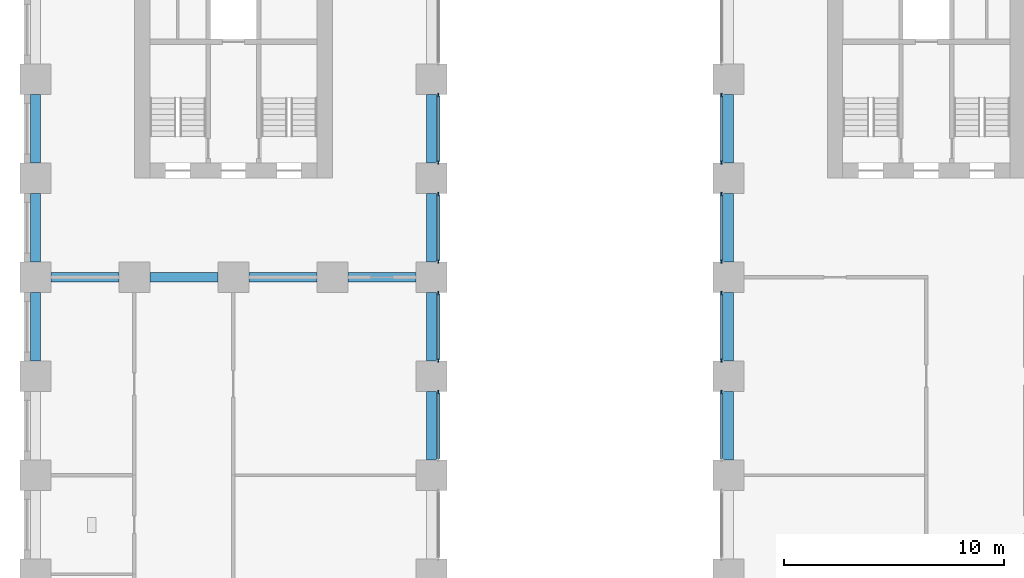
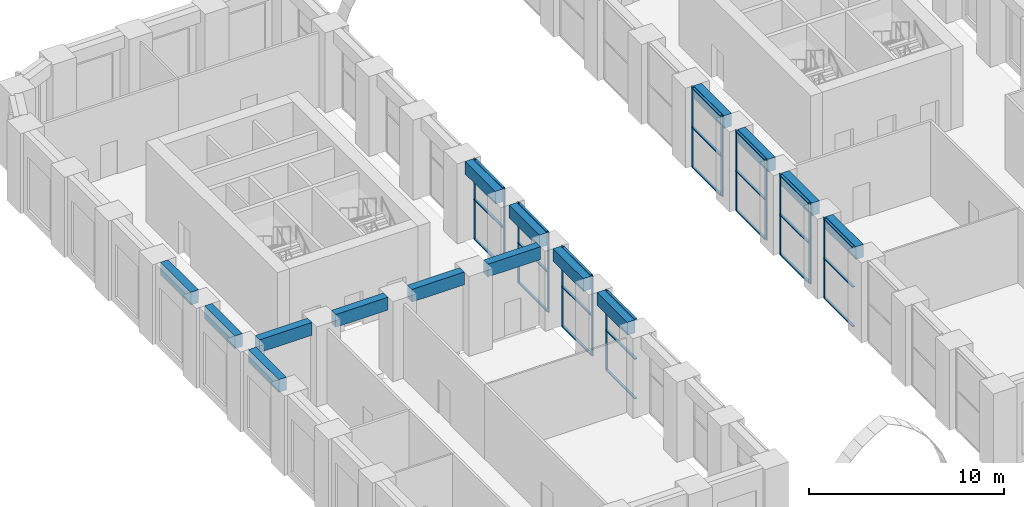
# One storey, part 3 of 24: 38 members, 15 beams, 8 elements without a shape of their own.
"""IFC4 building model written with IfcOpenShell, lengths in metres."""

import ifcopenshell
import ifcopenshell.guid

model = None  # the IFC model being written
_history = None  # IfcOwnerHistory: only IFC2X3 demands one
_inside = {}  # id of a spatial element -> (the spatial element, [elements in it])
_under = {}  # id of a project, library or spatial element -> (it, [spatial elements below it])
_declared = {}  # id of a project -> (the project, [libraries it declares])
_typed = {}  # id of a type object -> (the type object, [elements of that type])
_made_of = {}  # id of a material, layer set ... -> (it, [elements and type objects made of it])


def new_model(schema):
    """Start an empty IFC model of exactly this schema.

    Asked for "IFC4X3", IfcOpenShell would pick the latest addendum, in which some entities
    have other attributes; the version numbers below select the first issue.
    IFC2X3 requires an IfcOwnerHistory on every rooted entity: one is made here for all.
    """
    global model, _history
    if schema == "IFC4X3":
        model = ifcopenshell.file(schema_version=(4, 3, 0, 0))
    else:
        model = ifcopenshell.file(schema=schema)
    _inside.clear()
    _under.clear()
    _declared.clear()
    _typed.clear()
    _made_of.clear()
    _history = None
    if model.schema == "IFC2X3":
        org = make("IfcOrganization", Name="unknown")
        user = make(
            "IfcPersonAndOrganization",
            ThePerson=make("IfcPerson", FamilyName="unknown"),
            TheOrganization=org,
        )
        app = make(
            "IfcApplication",
            ApplicationDeveloper=org,
            Version="unknown",
            ApplicationFullName="unknown",
            ApplicationIdentifier="unknown",
        )
        _history = make(
            "IfcOwnerHistory",
            OwningUser=user,
            OwningApplication=app,
            ChangeAction="ADDED",
            CreationDate=0,
        )
    return model


def make(cls, **values):
    """One entity of the class cls with the attributes given. An attribute that is None is left unset."""
    return model.create_entity(
        cls, **{name: value for name, value in values.items() if value is not None}
    )


def rooted(cls, **values):
    """An entity with a GlobalId (a new one), such as an element, a storey or a relation."""
    return make(cls, GlobalId=ifcopenshell.guid.new(), OwnerHistory=_history, **values)


def si_unit(unit_type, name, prefix=None):
    """IfcSIUnit, for example si_unit("LENGTHUNIT", "METRE", prefix="MILLI")."""
    return make("IfcSIUnit", UnitType=unit_type, Prefix=prefix, Name=name)


def assignment(units):
    """IfcUnitAssignment: the units of a project."""
    return None if units is None else make("IfcUnitAssignment", Units=units)


def point(xyz):
    """IfcCartesianPoint."""
    return None if xyz is None else make("IfcCartesianPoint", Coordinates=xyz)


def direction(xyz):
    """IfcDirection."""
    return None if xyz is None else make("IfcDirection", DirectionRatios=xyz)


def frame(location, z_axis=None, x_axis=None):
    """IfcAxis2Placement3D, a coordinate frame: its origin and axes. An axis left out is left unset."""
    return make(
        "IfcAxis2Placement3D",
        Location=point(location),
        Axis=direction(z_axis),
        RefDirection=direction(x_axis),
    )


def frame_2d(location, x_axis=None):
    """IfcAxis2Placement2D, a coordinate frame in the plane: its origin and x axis."""
    return make(
        "IfcAxis2Placement2D", Location=point(location), RefDirection=direction(x_axis)
    )


def origin():
    """The frame at (0, 0, 0) with its axes left unset."""
    return frame((0.0, 0.0, 0.0))


def origin_2d():
    """The frame at (0, 0) in the plane with its x axis left unset."""
    return frame_2d((0.0, 0.0))


def place(relative_to, where):
    """IfcLocalPlacement: puts the frame where relative to a parent placement (None: the world)."""
    return make(
        "IfcLocalPlacement", PlacementRelTo=relative_to, RelativePlacement=where
    )


def context(
    kind, dimensions, precision=None, world=None, true_north=None, identifier=None
):
    """IfcGeometricRepresentationContext, for example the 3D "Model" context."""
    return make(
        "IfcGeometricRepresentationContext",
        ContextIdentifier=identifier,
        ContextType=kind,
        CoordinateSpaceDimension=dimensions,
        Precision=precision,
        WorldCoordinateSystem=world,
        TrueNorth=true_north,
    )


def subcontext(parent, identifier, kind, view, scale=None):
    """IfcGeometricRepresentationSubContext, for example "Body" below "Model"."""
    return make(
        "IfcGeometricRepresentationSubContext",
        ContextIdentifier=identifier,
        ContextType=kind,
        ParentContext=parent,
        TargetScale=scale,
        TargetView=view,
    )


def project(units=None, contexts=None):
    """IfcProject with its units and contexts."""
    return rooted(
        "IfcProject",
        Name="project",
        RepresentationContexts=contexts,
        UnitsInContext=assignment(units),
    )


def spatial(cls, under=None, at=None, **own):
    """A site, building, storey or space (cls), placed at a placement, below another one or the project."""
    s = rooted(cls, ObjectPlacement=at, **own)
    if under is not None:
        _under.setdefault(under.id(), (under, []))[1].append(s)
    return s


def profile(cls, at=None, kind="AREA", **sizes):
    """A parametric profile (cls). Its sizes go by their IFC names, for example OverallWidth=200.0."""
    return make(cls, ProfileType=kind, Position=at, **sizes)


def rectangle(**sizes):
    """IfcRectangleProfileDef."""
    return profile("IfcRectangleProfileDef", **sizes)


def extrude(swept, where, along, depth):
    """IfcExtrudedAreaSolid: the profile swept, set in the frame where, extruded along a direction by depth."""
    return make(
        "IfcExtrudedAreaSolid",
        SweptArea=swept,
        Position=where,
        ExtrudedDirection=direction(along),
        Depth=depth,
    )


def shape(context_of_items, identifier, shape_type, items):
    """IfcShapeRepresentation: the items that make up one representation, for example the "Body"."""
    return make(
        "IfcShapeRepresentation",
        ContextOfItems=context_of_items,
        RepresentationIdentifier=identifier,
        RepresentationType=shape_type,
        Items=items,
    )


def material(Name=None, Category=None):
    """IfcMaterial."""
    return make("IfcMaterial", Name=Name, Category=Category)


def material_profile(
    of_material, cross_section, Name=None, Category=None, Priority=None
):
    """IfcMaterialProfile: a cross section and its material."""
    return make(
        "IfcMaterialProfile",
        Name=Name,
        Material=of_material,
        Profile=cross_section,
        Priority=Priority,
        Category=Category,
    )


def profile_set(profiles, Name=None, composite=None):
    """IfcMaterialProfileSet."""
    return make(
        "IfcMaterialProfileSet",
        Name=Name,
        MaterialProfiles=profiles,
        CompositeProfile=composite,
    )


def made_of(thing, what):
    """Note that an element or type object is made of a material, layer set ...; save() writes the relation."""
    if what is not None:
        _made_of.setdefault(what.id(), (what, []))[1].append(thing)
    return thing


def type_object(cls, material=None, **own):
    """A type object (cls), such as IfcWallType, which elements share."""
    return made_of(rooted(cls, **own), material)


def element(
    cls,
    number,
    at=None,
    inside=None,
    cuts=None,
    type_object=None,
    material=None,
    context=None,
    identifier="Body",
    shape_type=None,
    held_by="IfcProductDefinitionShape",
    body=None,
    shapes=None,
    **own,
):
    """One element of the class cls, such as IfcWall. Its Tag is "e" and its number.

    at: its placement. inside: the storey or other place that contains it. cuts: it is an
    opening in that element (IfcRelVoidsElement). A single representation is given by context,
    identifier, shape_type and body (its items); several are given by shapes. held_by: the class
    of the entity that holds the representations. save() writes the other relations.
    """
    e = rooted(cls, Tag="e%d" % number, ObjectPlacement=at, **own)
    if body is not None:
        shapes = [shape(context, identifier, shape_type, body)]
    if shapes is not None:
        e.Representation = make(held_by, Representations=shapes)
    if inside is not None:
        _inside.setdefault(inside.id(), (inside, []))[1].append(e)
    if cuts is not None:
        rooted(
            "IfcRelVoidsElement", RelatingBuildingElement=cuts, RelatedOpeningElement=e
        )
    if type_object is not None:
        _typed.setdefault(type_object.id(), (type_object, []))[1].append(e)
    return made_of(e, material)


def aggregate(whole, parts):
    """IfcRelAggregates: a whole, such as a stair, and the parts it consists of."""
    return rooted("IfcRelAggregates", RelatingObject=whole, RelatedObjects=parts)


def save(model, path):
    """Write the relations noted so far, then the file.

    IfcRelAggregates (storeys below a building ...), IfcRelContainedInSpatialStructure (elements
    in a storey), IfcRelDefinesByType, IfcRelAssociatesMaterial and IfcRelDeclares: one each for
    every whole, place, type object, material and project.
    """
    for whole, parts in _under.values():
        aggregate(whole, parts)
    for where, things in _inside.values():
        rooted(
            "IfcRelContainedInSpatialStructure",
            RelatedElements=things,
            RelatingStructure=where,
        )
    for kind, things in _typed.values():
        rooted("IfcRelDefinesByType", RelatedObjects=things, RelatingType=kind)
    for what, things in _made_of.values():
        rooted("IfcRelAssociatesMaterial", RelatedObjects=things, RelatingMaterial=what)
    for by, libraries in _declared.values():
        rooted("IfcRelDeclares", RelatingContext=by, RelatedDefinitions=libraries)
    model.write(path)


model = new_model("IFC4")

# Units and contexts
model_context = context("Model", 3, precision=1e-05, world=origin(), true_north=direction((0.0, 1.0)))
body_context = subcontext(model_context, "Body", "Model", "MODEL_VIEW")
ifc_project = project(units=[si_unit("LENGTHUNIT", "METRE"), si_unit("AREAUNIT", "SQUARE_METRE"), si_unit("VOLUMEUNIT", "CUBIC_METRE"), si_unit("PLANEANGLEUNIT", "RADIAN"), si_unit("MASSUNIT", "GRAM", prefix="KILO")], contexts=[model_context])

# Site, building, storey
site_placement = place(None, origin())
site = spatial("IfcSite", under=ifc_project, at=site_placement, CompositionType="ELEMENT")
building_placement = place(site_placement, origin())
building = spatial("IfcBuilding", under=site, at=building_placement, Name="Girih Gate Residences", CompositionType="ELEMENT")
storey_placement = place(building_placement, frame((0.0, 0.0, 11.0)))
storey = spatial("IfcBuildingStorey", under=building, at=storey_placement, Name="L02", CompositionType="ELEMENT", Elevation=11.0)

# Curtain wall, member
ifc_material_1 = material(Name="Aluminium curtain wall frame", Category="aluminium")
curtain_wall_type = type_object("IfcCurtainWallType", Name="Curtain wall CW-2 podium amenity glazing", PredefinedType="NOTDEFINED", material=ifc_material_1)
curtain_wall_1_placement = place(storey_placement, origin())
curtain_wall_1 = element("IfcCurtainWall", 1, at=curtain_wall_1_placement, inside=storey, type_object=curtain_wall_type, Name="CW-2 Podium amenity glazing E0180_0000.3", PredefinedType="NOTDEFINED")
ifc_material_profile_1 = material_profile(ifc_material_1, rectangle(XDim=0.06005859375, YDim=0.179931640625, at=origin_2d()))
ifc_profile_set_1 = profile_set([ifc_material_profile_1], Name="Aluminium curtain wall frame")
member_type_1 = type_object("IfcMemberType", Name="Curtain wall mullion 60x180", PredefinedType="MULLION", material=ifc_profile_set_1)
member_1_placement = place(storey_placement, frame((18.31494140625, 17.27001953125, 0.0), z_axis=(0.0, 0.0, 1.0), x_axis=(-1.0, 0.0, 0.0)))
member_1 = element("IfcMember", 2, at=member_1_placement, type_object=member_type_1, Name="CW-2 mullion 2", PredefinedType="MULLION", context=body_context, shape_type="SweptSolid", body=[
    extrude(rectangle(XDim=0.06005859375, YDim=0.179931640625, at=origin_2d()), origin(), (0.0, 0.0, 1.0), 5.0),
])

# Curtain wall, members
curtain_wall_2_placement = place(storey_placement, origin())
curtain_wall_2 = element("IfcCurtainWall", 3, at=curtain_wall_2_placement, inside=storey, type_object=curtain_wall_type, Name="CW-2 Podium amenity glazing E0180_0000.4", PredefinedType="NOTDEFINED")
member_2_placement = place(storey_placement, frame((18.31494140625, 18.72998046875, 0.0), z_axis=(0.0, 0.0, 1.0), x_axis=(-1.0, 0.0, 0.0)))
member_2 = element("IfcMember", 4, at=member_2_placement, type_object=member_type_1, Name="CW-2 mullion 1", PredefinedType="MULLION", context=body_context, shape_type="SweptSolid", body=[
    extrude(rectangle(XDim=0.06005859375, YDim=0.179931640625, at=origin_2d()), origin(), (0.0, 0.0, 1.0), 5.0),
])
member_3_placement = place(storey_placement, frame((18.31494140625, 21.77001953125, 0.0), z_axis=(0.0, 0.0, 1.0), x_axis=(-1.0, 0.0, 0.0)))
member_3 = element("IfcMember", 5, at=member_3_placement, type_object=member_type_1, Name="CW-2 mullion 2", PredefinedType="MULLION", context=body_context, shape_type="SweptSolid", body=[
    extrude(rectangle(XDim=0.06005859375, YDim=0.179931640625, at=origin_2d()), origin(), (0.0, 0.0, 1.0), 5.0),
])

curtain_wall_3_placement = place(storey_placement, origin())
curtain_wall_3 = element("IfcCurtainWall", 6, at=curtain_wall_3_placement, inside=storey, type_object=curtain_wall_type, Name="CW-2 Podium amenity glazing E0180_0000.5", PredefinedType="NOTDEFINED")
member_4_placement = place(storey_placement, frame((18.31494140625, 23.22998046875, 0.0), z_axis=(0.0, 0.0, 1.0), x_axis=(-1.0, 0.0, 0.0)))
member_4 = element("IfcMember", 7, at=member_4_placement, type_object=member_type_1, Name="CW-2 mullion 1", PredefinedType="MULLION", context=body_context, shape_type="SweptSolid", body=[
    extrude(rectangle(XDim=0.06005859375, YDim=0.179931640625, at=origin_2d()), origin(), (0.0, 0.0, 1.0), 5.0),
])
member_5_placement = place(storey_placement, frame((18.31494140625, 26.27001953125, 0.0), z_axis=(0.0, 0.0, 1.0), x_axis=(-1.0, 0.0, 0.0)))
member_5 = element("IfcMember", 8, at=member_5_placement, type_object=member_type_1, Name="CW-2 mullion 2", PredefinedType="MULLION", context=body_context, shape_type="SweptSolid", body=[
    extrude(rectangle(XDim=0.06005859375, YDim=0.179931640625, at=origin_2d()), origin(), (0.0, 0.0, 1.0), 5.0),
])

curtain_wall_4_placement = place(storey_placement, origin())
curtain_wall_4 = element("IfcCurtainWall", 9, at=curtain_wall_4_placement, inside=storey, type_object=curtain_wall_type, Name="CW-2 Podium amenity glazing E0180_0000.6", PredefinedType="NOTDEFINED")
member_6_placement = place(storey_placement, frame((18.31494140625, 27.72998046875, 0.0), z_axis=(0.0, 0.0, 1.0), x_axis=(-1.0, 0.0, 0.0)))
member_6 = element("IfcMember", 10, at=member_6_placement, type_object=member_type_1, Name="CW-2 mullion 1", PredefinedType="MULLION", context=body_context, shape_type="SweptSolid", body=[
    extrude(rectangle(XDim=0.06005859375, YDim=0.179931640625, at=origin_2d()), origin(), (0.0, 0.0, 1.0), 5.0),
])
member_7_placement = place(storey_placement, frame((18.31494140625, 30.77001953125, 0.0), z_axis=(0.0, 0.0, 1.0), x_axis=(-1.0, 0.0, 0.0)))
member_7 = element("IfcMember", 11, at=member_7_placement, type_object=member_type_1, Name="CW-2 mullion 2", PredefinedType="MULLION", context=body_context, shape_type="SweptSolid", body=[
    extrude(rectangle(XDim=0.06005859375, YDim=0.179931640625, at=origin_2d()), origin(), (0.0, 0.0, 1.0), 5.0),
])

curtain_wall_5_placement = place(storey_placement, origin())
curtain_wall_5 = element("IfcCurtainWall", 12, at=curtain_wall_5_placement, inside=storey, type_object=curtain_wall_type, Name="CW-2 Podium amenity glazing W0315_0495.4", PredefinedType="NOTDEFINED")
member_8_placement = place(storey_placement, frame((31.18505859375, 30.77001953125, 0.0), z_axis=(0.0, 0.0, 1.0), x_axis=(1.0, 0.0, 0.0)))
member_8 = element("IfcMember", 13, at=member_8_placement, type_object=member_type_1, Name="CW-2 mullion 1", PredefinedType="MULLION", context=body_context, shape_type="SweptSolid", body=[
    extrude(rectangle(XDim=0.06005859375, YDim=0.179931640625, at=origin_2d()), origin(), (0.0, 0.0, 1.0), 5.0),
])
member_9_placement = place(storey_placement, frame((31.18505859375, 27.72998046875, 0.0), z_axis=(0.0, 0.0, 1.0), x_axis=(1.0, 0.0, 0.0)))
member_9 = element("IfcMember", 14, at=member_9_placement, type_object=member_type_1, Name="CW-2 mullion 2", PredefinedType="MULLION", context=body_context, shape_type="SweptSolid", body=[
    extrude(rectangle(XDim=0.06005859375, YDim=0.179931640625, at=origin_2d()), origin(), (0.0, 0.0, 1.0), 5.0),
])

curtain_wall_6_placement = place(storey_placement, origin())
curtain_wall_6 = element("IfcCurtainWall", 15, at=curtain_wall_6_placement, inside=storey, type_object=curtain_wall_type, Name="CW-2 Podium amenity glazing W0315_0495.5", PredefinedType="NOTDEFINED")
member_10_placement = place(storey_placement, frame((31.18505859375, 26.27001953125, 0.0), z_axis=(0.0, 0.0, 1.0), x_axis=(1.0, 0.0, 0.0)))
member_10 = element("IfcMember", 16, at=member_10_placement, type_object=member_type_1, Name="CW-2 mullion 1", PredefinedType="MULLION", context=body_context, shape_type="SweptSolid", body=[
    extrude(rectangle(XDim=0.06005859375, YDim=0.179931640625, at=origin_2d()), origin(), (0.0, 0.0, 1.0), 5.0),
])
member_11_placement = place(storey_placement, frame((31.18505859375, 23.22998046875, 0.0), z_axis=(0.0, 0.0, 1.0), x_axis=(1.0, 0.0, 0.0)))
member_11 = element("IfcMember", 17, at=member_11_placement, type_object=member_type_1, Name="CW-2 mullion 2", PredefinedType="MULLION", context=body_context, shape_type="SweptSolid", body=[
    extrude(rectangle(XDim=0.06005859375, YDim=0.179931640625, at=origin_2d()), origin(), (0.0, 0.0, 1.0), 5.0),
])

curtain_wall_7_placement = place(storey_placement, origin())
curtain_wall_7 = element("IfcCurtainWall", 18, at=curtain_wall_7_placement, inside=storey, type_object=curtain_wall_type, Name="CW-2 Podium amenity glazing W0315_0495.6", PredefinedType="NOTDEFINED")
member_12_placement = place(storey_placement, frame((31.18505859375, 21.77001953125, 0.0), z_axis=(0.0, 0.0, 1.0), x_axis=(1.0, 0.0, 0.0)))
member_12 = element("IfcMember", 19, at=member_12_placement, type_object=member_type_1, Name="CW-2 mullion 1", PredefinedType="MULLION", context=body_context, shape_type="SweptSolid", body=[
    extrude(rectangle(XDim=0.06005859375, YDim=0.179931640625, at=origin_2d()), origin(), (0.0, 0.0, 1.0), 5.0),
])
member_13_placement = place(storey_placement, frame((31.18505859375, 18.72998046875, 0.0), z_axis=(0.0, 0.0, 1.0), x_axis=(1.0, 0.0, 0.0)))
member_13 = element("IfcMember", 20, at=member_13_placement, type_object=member_type_1, Name="CW-2 mullion 2", PredefinedType="MULLION", context=body_context, shape_type="SweptSolid", body=[
    extrude(rectangle(XDim=0.06005859375, YDim=0.179931640625, at=origin_2d()), origin(), (0.0, 0.0, 1.0), 5.0),
])

# Curtain wall, member
curtain_wall_8_placement = place(storey_placement, origin())
curtain_wall_8 = element("IfcCurtainWall", 21, at=curtain_wall_8_placement, inside=storey, type_object=curtain_wall_type, Name="CW-2 Podium amenity glazing W0315_0495.7", PredefinedType="NOTDEFINED")
member_14_placement = place(storey_placement, frame((31.18505859375, 17.27001953125, 0.0), z_axis=(0.0, 0.0, 1.0), x_axis=(1.0, 0.0, 0.0)))
member_14 = element("IfcMember", 22, at=member_14_placement, type_object=member_type_1, Name="CW-2 mullion 1", PredefinedType="MULLION", context=body_context, shape_type="SweptSolid", body=[
    extrude(rectangle(XDim=0.06005859375, YDim=0.179931640625, at=origin_2d()), origin(), (0.0, 0.0, 1.0), 5.0),
])

# Member
ifc_material_profile_2 = material_profile(ifc_material_1, rectangle(XDim=0.139892578125, YDim=0.06005859375, at=origin_2d()))
ifc_profile_set_2 = profile_set([ifc_material_profile_2], Name="Aluminium curtain wall frame")
member_type_2 = type_object("IfcMemberType", Name="Curtain wall transom 60x140", PredefinedType="USERDEFINED", material=ifc_profile_set_2)
member_15_placement = place(storey_placement, frame((18.31494140625, 14.260009765625, 0.030029296875), z_axis=(0.0, 1.0, 0.0), x_axis=(-1.0, 0.0, 0.0)))
member_15 = element("IfcMember", 23, at=member_15_placement, type_object=member_type_2, Name="CW-2 transom 1.1", ObjectType="TRANSOM", PredefinedType="USERDEFINED", context=body_context, shape_type="SweptSolid", body=[
    extrude(rectangle(XDim=0.139892578125, YDim=0.06005859375, at=origin_2d()), origin(), (0.0, 0.0, 1.0), 2.97998046875),
])

member_16_placement = place(storey_placement, frame((18.31494140625, 14.260009765625, 2.5), z_axis=(0.0, 1.0, 0.0), x_axis=(-1.0, 0.0, 0.0)))
member_16 = element("IfcMember", 24, at=member_16_placement, type_object=member_type_2, Name="CW-2 transom 1.2", ObjectType="TRANSOM", PredefinedType="USERDEFINED", context=body_context, shape_type="SweptSolid", body=[
    extrude(rectangle(XDim=0.139892578125, YDim=0.06005859375, at=origin_2d()), origin(), (0.0, 0.0, 1.0), 2.97998046875),
])

member_17_placement = place(storey_placement, frame((18.31494140625, 14.260009765625, 4.969970703125), z_axis=(0.0, 1.0, 0.0), x_axis=(-1.0, 0.0, 0.0)))
member_17 = element("IfcMember", 25, at=member_17_placement, type_object=member_type_2, Name="CW-2 transom 1.3", ObjectType="TRANSOM", PredefinedType="USERDEFINED", context=body_context, shape_type="SweptSolid", body=[
    extrude(rectangle(XDim=0.139892578125, YDim=0.06005859375, at=origin_2d()), origin(), (0.0, 0.0, 1.0), 2.97998046875),
])

aggregate(curtain_wall_1, [member_1, member_15, member_16, member_17])

member_18_placement = place(storey_placement, frame((18.31494140625, 18.760009765625, 0.030029296875), z_axis=(0.0, 1.0, 0.0), x_axis=(-1.0, 0.0, 0.0)))
member_18 = element("IfcMember", 26, at=member_18_placement, type_object=member_type_2, Name="CW-2 transom 1.1", ObjectType="TRANSOM", PredefinedType="USERDEFINED", context=body_context, shape_type="SweptSolid", body=[
    extrude(rectangle(XDim=0.139892578125, YDim=0.06005859375, at=origin_2d()), origin(), (0.0, 0.0, 1.0), 2.97998046875),
])

member_19_placement = place(storey_placement, frame((18.31494140625, 18.760009765625, 2.5), z_axis=(0.0, 1.0, 0.0), x_axis=(-1.0, 0.0, 0.0)))
member_19 = element("IfcMember", 27, at=member_19_placement, type_object=member_type_2, Name="CW-2 transom 1.2", ObjectType="TRANSOM", PredefinedType="USERDEFINED", context=body_context, shape_type="SweptSolid", body=[
    extrude(rectangle(XDim=0.139892578125, YDim=0.06005859375, at=origin_2d()), origin(), (0.0, 0.0, 1.0), 2.97998046875),
])

member_20_placement = place(storey_placement, frame((18.31494140625, 18.760009765625, 4.969970703125), z_axis=(0.0, 1.0, 0.0), x_axis=(-1.0, 0.0, 0.0)))
member_20 = element("IfcMember", 28, at=member_20_placement, type_object=member_type_2, Name="CW-2 transom 1.3", ObjectType="TRANSOM", PredefinedType="USERDEFINED", context=body_context, shape_type="SweptSolid", body=[
    extrude(rectangle(XDim=0.139892578125, YDim=0.06005859375, at=origin_2d()), origin(), (0.0, 0.0, 1.0), 2.97998046875),
])

aggregate(curtain_wall_2, [member_2, member_3, member_18, member_19, member_20])

member_21_placement = place(storey_placement, frame((18.31494140625, 23.260009765625, 0.030029296875), z_axis=(0.0, 1.0, 0.0), x_axis=(-1.0, 0.0, 0.0)))
member_21 = element("IfcMember", 29, at=member_21_placement, type_object=member_type_2, Name="CW-2 transom 1.1", ObjectType="TRANSOM", PredefinedType="USERDEFINED", context=body_context, shape_type="SweptSolid", body=[
    extrude(rectangle(XDim=0.139892578125, YDim=0.06005859375, at=origin_2d()), origin(), (0.0, 0.0, 1.0), 2.97998046875),
])

member_22_placement = place(storey_placement, frame((18.31494140625, 23.260009765625, 2.5), z_axis=(0.0, 1.0, 0.0), x_axis=(-1.0, 0.0, 0.0)))
member_22 = element("IfcMember", 30, at=member_22_placement, type_object=member_type_2, Name="CW-2 transom 1.2", ObjectType="TRANSOM", PredefinedType="USERDEFINED", context=body_context, shape_type="SweptSolid", body=[
    extrude(rectangle(XDim=0.139892578125, YDim=0.06005859375, at=origin_2d()), origin(), (0.0, 0.0, 1.0), 2.97998046875),
])

member_23_placement = place(storey_placement, frame((18.31494140625, 23.260009765625, 4.969970703125), z_axis=(0.0, 1.0, 0.0), x_axis=(-1.0, 0.0, 0.0)))
member_23 = element("IfcMember", 31, at=member_23_placement, type_object=member_type_2, Name="CW-2 transom 1.3", ObjectType="TRANSOM", PredefinedType="USERDEFINED", context=body_context, shape_type="SweptSolid", body=[
    extrude(rectangle(XDim=0.139892578125, YDim=0.06005859375, at=origin_2d()), origin(), (0.0, 0.0, 1.0), 2.97998046875),
])

aggregate(curtain_wall_3, [member_4, member_5, member_21, member_22, member_23])

member_24_placement = place(storey_placement, frame((18.31494140625, 27.760009765625, 0.030029296875), z_axis=(0.0, 1.0, 0.0), x_axis=(-1.0, 0.0, 0.0)))
member_24 = element("IfcMember", 32, at=member_24_placement, type_object=member_type_2, Name="CW-2 transom 1.1", ObjectType="TRANSOM", PredefinedType="USERDEFINED", context=body_context, shape_type="SweptSolid", body=[
    extrude(rectangle(XDim=0.139892578125, YDim=0.06005859375, at=origin_2d()), origin(), (0.0, 0.0, 1.0), 2.97998046875),
])

member_25_placement = place(storey_placement, frame((18.31494140625, 27.760009765625, 2.5), z_axis=(0.0, 1.0, 0.0), x_axis=(-1.0, 0.0, 0.0)))
member_25 = element("IfcMember", 33, at=member_25_placement, type_object=member_type_2, Name="CW-2 transom 1.2", ObjectType="TRANSOM", PredefinedType="USERDEFINED", context=body_context, shape_type="SweptSolid", body=[
    extrude(rectangle(XDim=0.139892578125, YDim=0.06005859375, at=origin_2d()), origin(), (0.0, 0.0, 1.0), 2.97998046875),
])

member_26_placement = place(storey_placement, frame((18.31494140625, 27.760009765625, 4.969970703125), z_axis=(0.0, 1.0, 0.0), x_axis=(-1.0, 0.0, 0.0)))
member_26 = element("IfcMember", 34, at=member_26_placement, type_object=member_type_2, Name="CW-2 transom 1.3", ObjectType="TRANSOM", PredefinedType="USERDEFINED", context=body_context, shape_type="SweptSolid", body=[
    extrude(rectangle(XDim=0.139892578125, YDim=0.06005859375, at=origin_2d()), origin(), (0.0, 0.0, 1.0), 2.97998046875),
])

aggregate(curtain_wall_4, [member_6, member_7, member_24, member_25, member_26])

member_27_placement = place(storey_placement, frame((31.18505859375, 30.739990234375, 0.030029296875), z_axis=(0.0, -1.0, 0.0), x_axis=(1.0, 0.0, 0.0)))
member_27 = element("IfcMember", 35, at=member_27_placement, type_object=member_type_2, Name="CW-2 transom 1.1", ObjectType="TRANSOM", PredefinedType="USERDEFINED", context=body_context, shape_type="SweptSolid", body=[
    extrude(rectangle(XDim=0.139892578125, YDim=0.06005859375, at=origin_2d()), origin(), (0.0, 0.0, 1.0), 2.97998046875),
])

member_28_placement = place(storey_placement, frame((31.18505859375, 30.739990234375, 2.5), z_axis=(0.0, -1.0, 0.0), x_axis=(1.0, 0.0, 0.0)))
member_28 = element("IfcMember", 36, at=member_28_placement, type_object=member_type_2, Name="CW-2 transom 1.2", ObjectType="TRANSOM", PredefinedType="USERDEFINED", context=body_context, shape_type="SweptSolid", body=[
    extrude(rectangle(XDim=0.139892578125, YDim=0.06005859375, at=origin_2d()), origin(), (0.0, 0.0, 1.0), 2.97998046875),
])

member_29_placement = place(storey_placement, frame((31.18505859375, 30.739990234375, 4.969970703125), z_axis=(0.0, -1.0, 0.0), x_axis=(1.0, 0.0, 0.0)))
member_29 = element("IfcMember", 37, at=member_29_placement, type_object=member_type_2, Name="CW-2 transom 1.3", ObjectType="TRANSOM", PredefinedType="USERDEFINED", context=body_context, shape_type="SweptSolid", body=[
    extrude(rectangle(XDim=0.139892578125, YDim=0.06005859375, at=origin_2d()), origin(), (0.0, 0.0, 1.0), 2.97998046875),
])

aggregate(curtain_wall_5, [member_8, member_9, member_27, member_28, member_29])

member_30_placement = place(storey_placement, frame((31.18505859375, 26.239990234375, 0.030029296875), z_axis=(0.0, -1.0, 0.0), x_axis=(1.0, 0.0, 0.0)))
member_30 = element("IfcMember", 38, at=member_30_placement, type_object=member_type_2, Name="CW-2 transom 1.1", ObjectType="TRANSOM", PredefinedType="USERDEFINED", context=body_context, shape_type="SweptSolid", body=[
    extrude(rectangle(XDim=0.139892578125, YDim=0.06005859375, at=origin_2d()), origin(), (0.0, 0.0, 1.0), 2.97998046875),
])

member_31_placement = place(storey_placement, frame((31.18505859375, 26.239990234375, 2.5), z_axis=(0.0, -1.0, 0.0), x_axis=(1.0, 0.0, 0.0)))
member_31 = element("IfcMember", 39, at=member_31_placement, type_object=member_type_2, Name="CW-2 transom 1.2", ObjectType="TRANSOM", PredefinedType="USERDEFINED", context=body_context, shape_type="SweptSolid", body=[
    extrude(rectangle(XDim=0.139892578125, YDim=0.06005859375, at=origin_2d()), origin(), (0.0, 0.0, 1.0), 2.97998046875),
])

member_32_placement = place(storey_placement, frame((31.18505859375, 26.239990234375, 4.969970703125), z_axis=(0.0, -1.0, 0.0), x_axis=(1.0, 0.0, 0.0)))
member_32 = element("IfcMember", 40, at=member_32_placement, type_object=member_type_2, Name="CW-2 transom 1.3", ObjectType="TRANSOM", PredefinedType="USERDEFINED", context=body_context, shape_type="SweptSolid", body=[
    extrude(rectangle(XDim=0.139892578125, YDim=0.06005859375, at=origin_2d()), origin(), (0.0, 0.0, 1.0), 2.97998046875),
])

aggregate(curtain_wall_6, [member_10, member_11, member_30, member_31, member_32])

member_33_placement = place(storey_placement, frame((31.18505859375, 21.739990234375, 0.030029296875), z_axis=(0.0, -1.0, 0.0), x_axis=(1.0, 0.0, 0.0)))
member_33 = element("IfcMember", 41, at=member_33_placement, type_object=member_type_2, Name="CW-2 transom 1.1", ObjectType="TRANSOM", PredefinedType="USERDEFINED", context=body_context, shape_type="SweptSolid", body=[
    extrude(rectangle(XDim=0.139892578125, YDim=0.06005859375, at=origin_2d()), origin(), (0.0, 0.0, 1.0), 2.97998046875),
])

member_34_placement = place(storey_placement, frame((31.18505859375, 21.739990234375, 2.5), z_axis=(0.0, -1.0, 0.0), x_axis=(1.0, 0.0, 0.0)))
member_34 = element("IfcMember", 42, at=member_34_placement, type_object=member_type_2, Name="CW-2 transom 1.2", ObjectType="TRANSOM", PredefinedType="USERDEFINED", context=body_context, shape_type="SweptSolid", body=[
    extrude(rectangle(XDim=0.139892578125, YDim=0.06005859375, at=origin_2d()), origin(), (0.0, 0.0, 1.0), 2.97998046875),
])

member_35_placement = place(storey_placement, frame((31.18505859375, 21.739990234375, 4.969970703125), z_axis=(0.0, -1.0, 0.0), x_axis=(1.0, 0.0, 0.0)))
member_35 = element("IfcMember", 43, at=member_35_placement, type_object=member_type_2, Name="CW-2 transom 1.3", ObjectType="TRANSOM", PredefinedType="USERDEFINED", context=body_context, shape_type="SweptSolid", body=[
    extrude(rectangle(XDim=0.139892578125, YDim=0.06005859375, at=origin_2d()), origin(), (0.0, 0.0, 1.0), 2.97998046875),
])

aggregate(curtain_wall_7, [member_12, member_13, member_33, member_34, member_35])

member_36_placement = place(storey_placement, frame((31.18505859375, 17.239990234375, 0.030029296875), z_axis=(0.0, -1.0, 0.0), x_axis=(1.0, 0.0, 0.0)))
member_36 = element("IfcMember", 44, at=member_36_placement, type_object=member_type_2, Name="CW-2 transom 1.1", ObjectType="TRANSOM", PredefinedType="USERDEFINED", context=body_context, shape_type="SweptSolid", body=[
    extrude(rectangle(XDim=0.139892578125, YDim=0.06005859375, at=origin_2d()), origin(), (0.0, 0.0, 1.0), 2.97998046875),
])

member_37_placement = place(storey_placement, frame((31.18505859375, 17.239990234375, 2.5), z_axis=(0.0, -1.0, 0.0), x_axis=(1.0, 0.0, 0.0)))
member_37 = element("IfcMember", 45, at=member_37_placement, type_object=member_type_2, Name="CW-2 transom 1.2", ObjectType="TRANSOM", PredefinedType="USERDEFINED", context=body_context, shape_type="SweptSolid", body=[
    extrude(rectangle(XDim=0.139892578125, YDim=0.06005859375, at=origin_2d()), origin(), (0.0, 0.0, 1.0), 2.97998046875),
])

member_38_placement = place(storey_placement, frame((31.18505859375, 17.239990234375, 4.969970703125), z_axis=(0.0, -1.0, 0.0), x_axis=(1.0, 0.0, 0.0)))
member_38 = element("IfcMember", 46, at=member_38_placement, type_object=member_type_2, Name="CW-2 transom 1.3", ObjectType="TRANSOM", PredefinedType="USERDEFINED", context=body_context, shape_type="SweptSolid", body=[
    extrude(rectangle(XDim=0.139892578125, YDim=0.06005859375, at=origin_2d()), origin(), (0.0, 0.0, 1.0), 2.97998046875),
])

aggregate(curtain_wall_8, [member_14, member_36, member_37, member_38])

# Beams
ifc_material_2 = material(Name="Concrete C60/75", Category="concrete")
ifc_material_profile_3 = material_profile(ifc_material_2, rectangle(XDim=0.449951171875, YDim=0.800048828125, at=origin_2d()))
ifc_profile_set_3 = profile_set([ifc_material_profile_3], Name="Concrete C60/75")
beam_type = type_object("IfcBeamType", Name="Spandrel girder RC 450x800 Concrete C60/75", PredefinedType="BEAM", material=ifc_profile_set_3)
for number, where, z_axis, x_axis, name in (
    (47, (0.0, 30.800048828125, 4.60009765625), (0.0, -1.0, 0.0), (1.0, 0.0, 0.0), "Spandrel girder SP-P1H-P1G L02"),
    (48, (0.0, 26.300048828125, 4.60009765625), (0.0, -1.0, 0.0), (1.0, 0.0, 0.0), "Spandrel girder SP-P1G-P1F L02"),
    (49, (0.0, 21.800048828125, 4.60009765625), (0.0, -1.0, 0.0), (1.0, 0.0, 0.0), "Spandrel girder SP-P1F-P1E L02"),
    (50, (18.0, 14.199951171875, 4.60009765625), (0.0, 1.0, 0.0), (-1.0, 0.0, 0.0), "Spandrel girder SP-P5D-P5E L02"),
    (51, (18.0, 18.699951171875, 4.60009765625), (0.0, 1.0, 0.0), (-1.0, 0.0, 0.0), "Spandrel girder SP-P5E-P5F L02"),
    (52, (18.0, 23.199951171875, 4.60009765625), (0.0, 1.0, 0.0), (-1.0, 0.0, 0.0), "Spandrel girder SP-P5F-P5G L02"),
    (53, (18.0, 27.699951171875, 4.60009765625), (0.0, 1.0, 0.0), (-1.0, 0.0, 0.0), "Spandrel girder SP-P5G-P5H L02"),
    (54, (31.5, 30.800048828125, 4.60009765625), (0.0, -1.0, 0.0), (1.0, 0.0, 0.0), "Spandrel girder SP-P8H-P8G L02"),
    (55, (31.5, 26.300048828125, 4.60009765625), (0.0, -1.0, 0.0), (1.0, 0.0, 0.0), "Spandrel girder SP-P8G-P8F L02"),
    (56, (31.5, 21.800048828125, 4.60009765625), (0.0, -1.0, 0.0), (1.0, 0.0, 0.0), "Spandrel girder SP-P8F-P8E L02"),
    (57, (31.5, 17.300048828125, 4.60009765625), (0.0, -1.0, 0.0), (1.0, 0.0, 0.0), "Spandrel girder SP-P8E-P8D L02"),
    (58, (0.699951171875, 22.5, 4.60009765625), (1.0, 0.0, 0.0), (0.0, 1.0, 0.0), "Spandrel girder SP-P1F-P2F L02"),
    (59, (5.199951171875, 22.5, 4.60009765625), (1.0, 0.0, 0.0), (0.0, 1.0, 0.0), "Spandrel girder SP-P2F-P3F L02"),
    (60, (9.699951171875, 22.5, 4.60009765625), (1.0, 0.0, 0.0), (0.0, 1.0, 0.0), "Spandrel girder SP-P3F-P4F L02"),
    (61, (14.199951171875, 22.5, 4.60009765625), (1.0, 0.0, 0.0), (0.0, 1.0, 0.0), "Spandrel girder SP-P4F-P5F L02"),
):
    element("IfcBeam", number, at=place(storey_placement, frame(where, z_axis=z_axis, x_axis=x_axis)), inside=storey, type_object=beam_type, Name=name, PredefinedType="BEAM", context=body_context, shape_type="SweptSolid", body=[
        extrude(rectangle(XDim=0.449951171875, YDim=0.800048828125, at=origin_2d()), origin(), (0.0, 0.0, 1.0), 3.10009765625),
    ])

save(model, "model.ifc")
